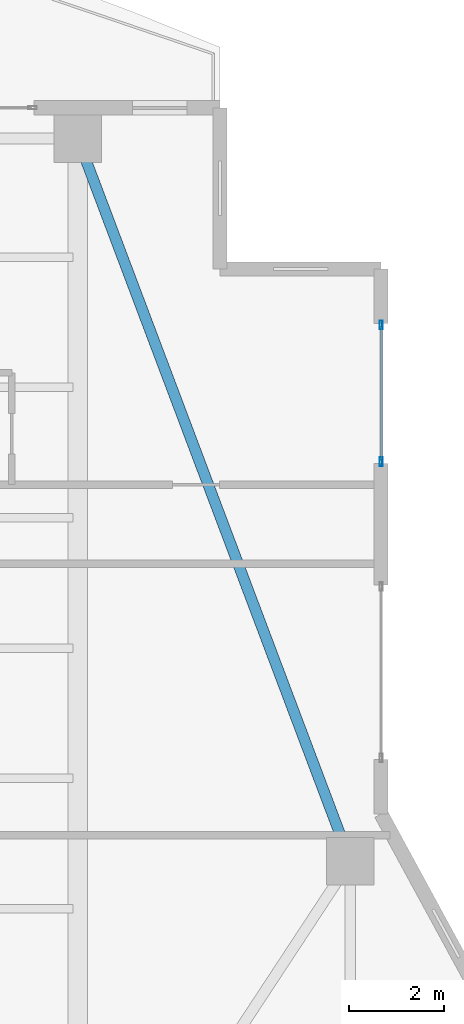
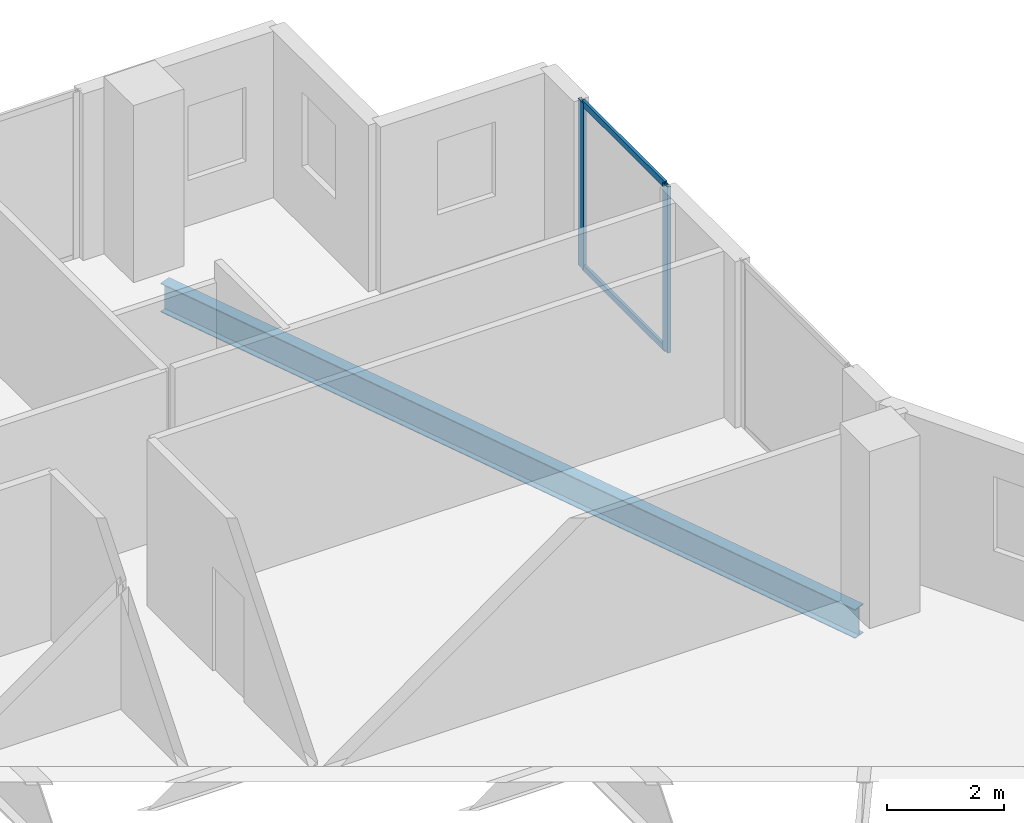
# One storey, part 16 of 26: 4 members, 1 beam, 1 element without a shape of its own.
"""IFC4 building model written with IfcOpenShell, lengths in metres."""

from ifc_helpers import new_model, si_unit, direction, frame, origin, origin_2d, place, context, subcontext, project, spatial, hollow_rectangle, i_section, extrude, material, layer, layer_set, material_profile, profile_set, type_object, element, aggregate, save


model = new_model("IFC4")

# Units and contexts
model_context = context("Model", 3, precision=1e-05, world=origin(), true_north=direction((0.0, 1.0)))
body_context = subcontext(model_context, "Body", "Model", "MODEL_VIEW")
ifc_project = project(units=[si_unit("LENGTHUNIT", "METRE"), si_unit("AREAUNIT", "SQUARE_METRE"), si_unit("VOLUMEUNIT", "CUBIC_METRE"), si_unit("PLANEANGLEUNIT", "RADIAN"), si_unit("MASSUNIT", "GRAM", prefix="KILO")], contexts=[model_context])

# Site, building, storey
site_placement = place(None, origin())
site = spatial("IfcSite", under=ifc_project, at=site_placement, CompositionType="ELEMENT")
building_placement = place(site_placement, origin())
building = spatial("IfcBuilding", under=site, at=building_placement, Name="Zuhayl Quay Hotel", CompositionType="ELEMENT")
storey_placement = place(building_placement, frame((0.0, 0.0, 254.449951171875)))
storey = spatial("IfcBuildingStorey", under=building, at=storey_placement, Name="L64", CompositionType="ELEMENT", Elevation=254.449951171875)

# Beam
ifc_material_1 = material(Name="Steel ASTM A992 Grade 50", Category="steel")
ifc_material_profile_1 = material_profile(ifc_material_1, i_section(OverallWidth=0.22802734375, OverallDepth=0.60693359375, WebThickness=0.01123046875, FlangeThickness=0.017333984375, at=origin_2d()), Name="W24X76")
ifc_profile_set_1 = profile_set([ifc_material_profile_1], Name="Steel ASTM A992 Grade 50")
beam_type = type_object("IfcBeamType", Name="BM_B3_W24X76", PredefinedType="BEAM", material=ifc_profile_set_1)
beam_placement = place(storey_placement, frame((19.3876953125, 23.530517578125, -0.5234375), z_axis=(-0.352796603103, 0.935700035716, 0.0), x_axis=(-0.935700035716, -0.352796603103, 0.0)))
element("IfcBeam", 1, at=beam_placement, inside=storey, type_object=beam_type, Name="L64 Floor Beam RG_L64_06", PredefinedType="BEAM", context=body_context, shape_type="SweptSolid", body=[
    extrude(i_section(OverallWidth=0.22802734375, OverallDepth=0.60693359375, WebThickness=0.01123046875, FlangeThickness=0.017333984375, at=origin_2d()), origin(), (0.0, 0.0, 1.0), 15.3779296875),
])

# Curtain wall, members
ifc_material_2 = material(Name="Anodised Aluminium 6063-T6", Category="aluminium")
ifc_layer = layer(ifc_material_2, 0.169921875, Name="Anodised Aluminium 6063-T6", Category="aluminium")
ifc_layer_set = layer_set([ifc_layer], Name="Anodised Aluminium 6063-T6")
curtain_wall_type = type_object("IfcCurtainWallType", Name="CW_SYS_Z4", PredefinedType="USERDEFINED", material=ifc_layer_set)
curtain_wall_placement = place(storey_placement, origin())
curtain_wall = element("IfcCurtainWall", 2, at=curtain_wall_placement, inside=storey, type_object=curtain_wall_type, Name="L64 Curtain Wall ENV_L64_E11_CW1", ObjectType="UNITISED CURTAIN WALL", PredefinedType="USERDEFINED")
ifc_material_3 = material(Name="Black-anodised aluminium 6063-T6", Category="aluminium")
ifc_material_profile_2 = material_profile(ifc_material_3, hollow_rectangle(XDim=0.06494140625, YDim=0.179931640625, WallThickness=0.00341796875, at=origin_2d()), Name="ALU180X65")
ifc_profile_set_2 = profile_set([ifc_material_profile_2], Name="Black-anodised aluminium 6063-T6")
member_type_1 = type_object("IfcMemberType", Name="MB_CW_MUL_180", PredefinedType="MULLION", material=ifc_profile_set_2)
member_1_placement = place(storey_placement, frame((20.199951171875, 34.41748046875, 0.0), z_axis=(0.0, 0.0, 1.0), x_axis=(1.0, 0.0, 0.0)))
member_1 = element("IfcMember", 3, at=member_1_placement, type_object=member_type_1, Name="CW-Z4 mullion 1", PredefinedType="MULLION", context=body_context, shape_type="SweptSolid", body=[
    extrude(hollow_rectangle(XDim=0.06494140625, YDim=0.179931640625, WallThickness=0.00341796875, at=origin_2d()), origin(), (0.0, 0.0, 1.0), 3.47998046875),
])
member_2_placement = place(storey_placement, frame((20.199951171875, 31.532470703125, 0.0), z_axis=(0.0, 0.0, 1.0), x_axis=(1.0, 0.0, 0.0)))
member_2 = element("IfcMember", 4, at=member_2_placement, type_object=member_type_1, Name="CW-Z4 mullion 2", PredefinedType="MULLION", context=body_context, shape_type="SweptSolid", body=[
    extrude(hollow_rectangle(XDim=0.06494140625, YDim=0.179931640625, WallThickness=0.00341796875, at=origin_2d()), origin(), (0.0, 0.0, 1.0), 3.47998046875),
])
ifc_material_profile_3 = material_profile(ifc_material_3, hollow_rectangle(XDim=0.054931640625, YDim=0.1298828125, WallThickness=0.0029296875, at=origin_2d()), Name="ALU130X55")
ifc_profile_set_3 = profile_set([ifc_material_profile_3], Name="Black-anodised aluminium 6063-T6")
member_type_2 = type_object("IfcMemberType", Name="MB_CW_TRN_130", PredefinedType="USERDEFINED", material=ifc_profile_set_3)
member_3_placement = place(storey_placement, frame((20.199951171875, 34.385009765625, 0.027587890625), z_axis=(0.0, -1.0, 0.0), x_axis=(1.0, 0.0, 0.0)))
member_3 = element("IfcMember", 5, at=member_3_placement, type_object=member_type_2, Name="CW-Z4 transom 1.1", ObjectType="TRANSOM", PredefinedType="USERDEFINED", context=body_context, shape_type="SweptSolid", body=[
    extrude(hollow_rectangle(XDim=0.054931640625, YDim=0.1298828125, WallThickness=0.0029296875, at=origin_2d()), origin(), (0.0, 0.0, 1.0), 2.820068359375),
])
member_4_placement = place(storey_placement, frame((20.199951171875, 34.385009765625, 3.45263671875), z_axis=(0.0, -1.0, 0.0), x_axis=(1.0, 0.0, 0.0)))
member_4 = element("IfcMember", 6, at=member_4_placement, type_object=member_type_2, Name="CW-Z4 transom 1.2", ObjectType="TRANSOM", PredefinedType="USERDEFINED", context=body_context, shape_type="SweptSolid", body=[
    extrude(hollow_rectangle(XDim=0.054931640625, YDim=0.1298828125, WallThickness=0.0029296875, at=origin_2d()), origin(), (0.0, 0.0, 1.0), 2.820068359375),
])
aggregate(curtain_wall, [member_1, member_2, member_3, member_4])

save(model, "model.ifc")
